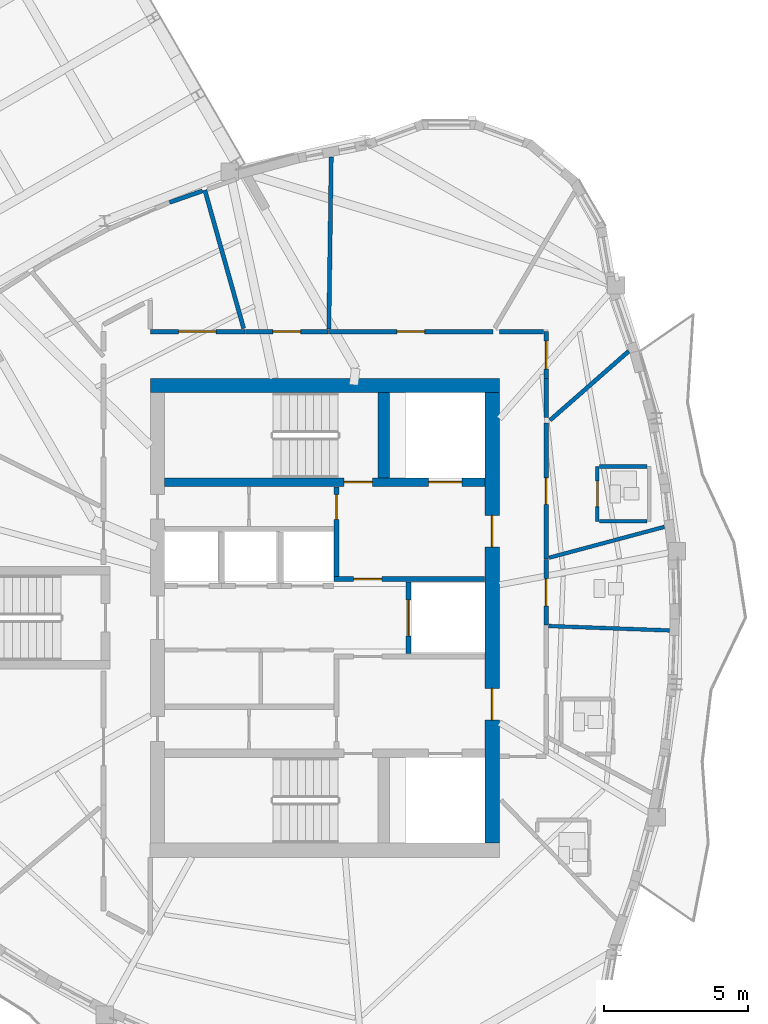
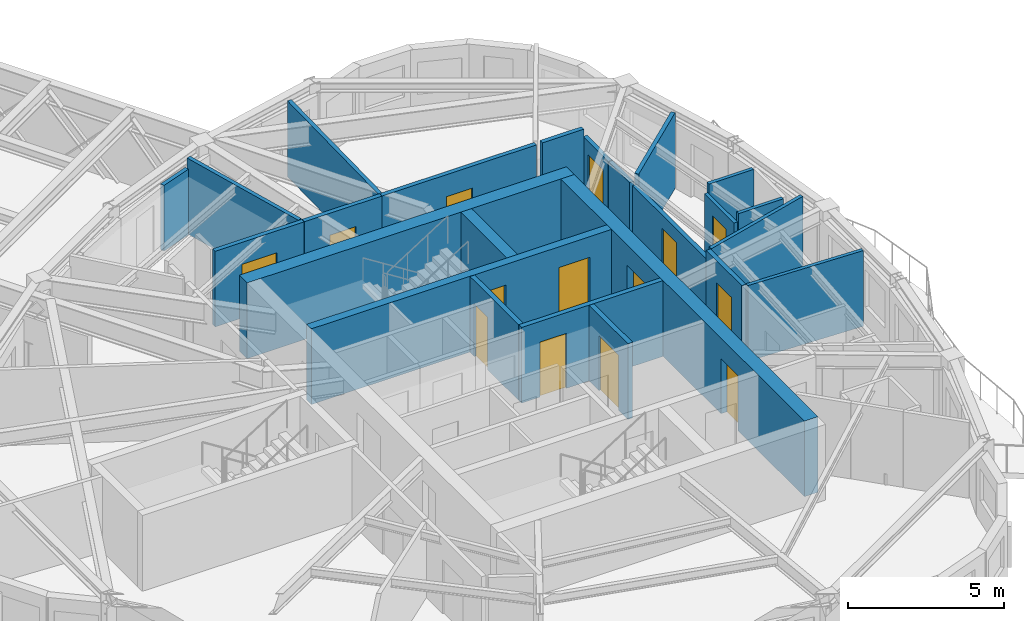
# One storey, part 8 of 14: 24 walls, 14 doors, 14 openings.
"""IFC4 building model written with IfcOpenShell, lengths in metres."""

from ifc_helpers import new_model, si_unit, direction, frame, frame_2d, origin, place, context, subcontext, project, spatial, rectangle, extrude, source, transform, mapped, material, layer, layer_set, type_object, element, fill, save


model = new_model("IFC4")

# Units and contexts
model_context = context("Model", 3, precision=1e-05, world=origin(), true_north=direction((0.0, 1.0)))
body_context = subcontext(model_context, "Body", "Model", "MODEL_VIEW")
ifc_project = project(units=[si_unit("LENGTHUNIT", "METRE"), si_unit("AREAUNIT", "SQUARE_METRE"), si_unit("VOLUMEUNIT", "CUBIC_METRE"), si_unit("PLANEANGLEUNIT", "RADIAN"), si_unit("MASSUNIT", "GRAM", prefix="KILO")], contexts=[model_context])

# Site, building, storey
site_placement = place(None, origin())
site = spatial("IfcSite", under=ifc_project, at=site_placement, CompositionType="ELEMENT")
building_placement = place(site_placement, origin())
building = spatial("IfcBuilding", under=site, at=building_placement, Name="Qafzar Sky-Pleat Residences", CompositionType="ELEMENT")
storey_placement = place(building_placement, frame((0.0, 0.0, 211.60009765625)))
storey = spatial("IfcBuildingStorey", under=building, at=storey_placement, Name="L63", CompositionType="ELEMENT", Elevation=211.60009765625)

# Wall, opening, door
ifc_material_1 = material(Name="Acoustic gypsum plasterboard partition", Category="gypsum")
ifc_layer_1 = layer(ifc_material_1, 0.159912109375)
ifc_layer_set_1 = layer_set([ifc_layer_1], Name="Acoustic gypsum plasterboard partition")
wall_type_1 = type_object("IfcWallType", Name="PART-COR-160", PredefinedType="PARTITIONING", material=ifc_layer_set_1)
wall_1_placement = place(storey_placement, frame((30.47412109375, 35.919921875, 0.0), z_axis=(0.0, 0.0, 1.0), x_axis=(1.0, 0.0, 0.0)))
wall_1 = element("IfcWall", 1, at=wall_1_placement, inside=storey, type_object=wall_type_1, Name="L63 Partition Wall PART-L63-PW-002", PredefinedType="PARTITIONING", context=body_context, shape_type="SweptSolid", body=[
    extrude(rectangle(XDim=5.712890625, YDim=0.159912109375, at=frame_2d((2.8564453125, 0.0))), origin(), (0.0, 0.0, 1.0), 2.9599609375),
])
opening_1_placement = place(wall_1_placement, frame((2.375, 0.0, 0.0)))
opening_1 = element("IfcOpeningElement", 2, at=opening_1_placement, cuts=wall_1, Name="Opening ID-06", PredefinedType="OPENING", context=body_context, shape_type="SweptSolid", body=[
    extrude(rectangle(XDim=0.9599609375, YDim=2.10009765625, at=frame_2d((0.47998046875, 1.050048828125))), frame((0.0, 0.08984375, 0.0), z_axis=(0.0, -1.0, 0.0), x_axis=(1.0, 0.0, 0.0)), (0.0, 0.0, 1.0), 0.179931640625),
])
ifc_material_2 = material(Name="Timber-faced fire door", Category="wood")
door_type_1 = type_object("IfcDoorType", Name="DR-STD-960", OperationType="NOTDEFINED", PredefinedType="DOOR", material=ifc_material_2)
shared_shape_1 = source(origin(), body_context, "Body", "SweptSolid", [
    extrude(rectangle(XDim=0.9599609375, YDim=2.10009765625, at=frame_2d((0.47998046875, 1.050048828125))), frame((0.0, 0.02490234375, 0.0), z_axis=(0.0, -1.0, 0.0), x_axis=(1.0, 0.0, 0.0)), (0.0, 0.0, 1.0), 0.050048828125),
])
door_1_placement = place(opening_1_placement, origin())
door_1 = element("IfcDoor", 3, at=door_1_placement, inside=storey, type_object=door_type_1, Name="L63 Wellness Yoga Studio Door", OperationType="SINGLE_SWING_LEFT", OverallHeight=2.10009765625, OverallWidth=0.9599609375, PredefinedType="DOOR", context=body_context, shape_type="MappedRepresentation", body=[
    mapped(shared_shape_1, transform((0.0, 0.0, 0.0), x_axis=(1.0, 0.0, 0.0), y_axis=(0.0, 1.0, 0.0), z_axis=(0.0, 0.0, 1.0), scale=1.0)),
])
fill(opening_1, door_1)

wall_2_placement = place(storey_placement, frame((38.02001953125, 32.748046875, 0.0), z_axis=(0.0, 0.0, 1.0), x_axis=(0.0, -1.0, 0.0)))
wall_2 = element("IfcWall", 4, at=wall_2_placement, inside=storey, type_object=wall_type_1, Name="L63 Partition Wall PART-L63-PW-003", PredefinedType="PARTITIONING", context=body_context, shape_type="SweptSolid", body=[
    extrude(rectangle(XDim=4.7099609375, YDim=0.159912109375, at=frame_2d((2.35498046875, 0.0))), origin(), (0.0, 0.0, 1.0), 2.6279296875),
])
opening_2_placement = place(wall_2_placement, frame((1.89697265625, 0.0, 0.0)))
opening_2 = element("IfcOpeningElement", 5, at=opening_2_placement, cuts=wall_2, Name="Opening ID-04", PredefinedType="OPENING", context=body_context, shape_type="SweptSolid", body=[
    extrude(rectangle(XDim=0.919921875, YDim=2.10009765625, at=frame_2d((0.4599609375, 1.050048828125))), frame((0.0, 0.08984375, 0.0), z_axis=(0.0, -1.0, 0.0), x_axis=(1.0, 0.0, 0.0)), (0.0, 0.0, 1.0), 0.179931640625),
])
door_type_2 = type_object("IfcDoorType", Name="DR-BED-920", OperationType="NOTDEFINED", PredefinedType="DOOR", material=ifc_material_2)
shared_shape_2 = source(origin(), body_context, "Body", "SweptSolid", [
    extrude(rectangle(XDim=0.919921875, YDim=2.10009765625, at=frame_2d((0.4599609375, 1.050048828125))), frame((0.0, 0.02490234375, 0.0), z_axis=(0.0, -1.0, 0.0), x_axis=(1.0, 0.0, 0.0)), (0.0, 0.0, 1.0), 0.050048828125),
])
door_2_placement = place(opening_2_placement, origin())
door_2 = element("IfcDoor", 6, at=door_2_placement, inside=storey, type_object=door_type_2, Name="L63 Co-Living Bedroom 3 Door", OperationType="SINGLE_SWING_RIGHT", OverallHeight=2.10009765625, OverallWidth=0.919921875, PredefinedType="DOOR", context=body_context, shape_type="MappedRepresentation", body=[
    mapped(shared_shape_2, transform((0.0, 0.0, 0.0), x_axis=(1.0, 0.0, 0.0), y_axis=(0.0, 1.0, 0.0), z_axis=(0.0, 0.0, 1.0), scale=1.0)),
])
fill(opening_2, door_2)

wall_3_placement = place(storey_placement, frame((24.300048828125, 35.919921875, 0.0), z_axis=(0.0, 0.0, 1.0), x_axis=(1.0, 0.0, 0.0)))
wall_3 = element("IfcWall", 7, at=wall_3_placement, inside=storey, type_object=wall_type_1, Name="L63 Partition Wall PART-L63-PW-008", PredefinedType="PARTITIONING", context=body_context, shape_type="SweptSolid", body=[
    extrude(rectangle(XDim=3.282958984375, YDim=0.159912109375, at=frame_2d((1.6416015625, 0.0))), origin(), (0.0, 0.0, 1.0), 2.9599609375),
])
opening_3_placement = place(wall_3_placement, frame((0.98388671875, 0.0, 0.0)))
opening_3 = element("IfcOpeningElement", 8, at=opening_3_placement, cuts=wall_3, Name="Opening ID-05", PredefinedType="OPENING", context=body_context, shape_type="SweptSolid", body=[
    extrude(rectangle(XDim=1.300048828125, YDim=2.10009765625, at=frame_2d((0.64990234375, 1.050048828125))), frame((0.0, 0.08984375, 0.0), z_axis=(0.0, -1.0, 0.0), x_axis=(1.0, 0.0, 0.0)), (0.0, 0.0, 1.0), 0.179931640625),
])
door_type_3 = type_object("IfcDoorType", Name="DR-LNG-1300", OperationType="DOUBLE_DOOR_SINGLE_SWING", PredefinedType="DOOR", material=ifc_material_2)
shared_shape_3 = source(origin(), body_context, "Body", "SweptSolid", [
    extrude(rectangle(XDim=1.300048828125, YDim=2.10009765625, at=frame_2d((0.64990234375, 1.050048828125))), frame((0.0, 0.02490234375, 0.0), z_axis=(0.0, -1.0, 0.0), x_axis=(1.0, 0.0, 0.0)), (0.0, 0.0, 1.0), 0.050048828125),
])
door_3_placement = place(opening_3_placement, origin())
door_3 = element("IfcDoor", 9, at=door_3_placement, inside=storey, type_object=door_type_3, Name="L63 Co-Living Lounge Door", OperationType="DOUBLE_DOOR_SINGLE_SWING", OverallHeight=2.10009765625, OverallWidth=1.300048828125, PredefinedType="DOOR", context=body_context, shape_type="MappedRepresentation", body=[
    mapped(shared_shape_3, transform((0.0, 0.0, 0.0), x_axis=(1.0, 0.0, 0.0), y_axis=(0.0, 1.0, 0.0), z_axis=(0.0, 0.0, 1.0), scale=1.0)),
])
fill(opening_3, door_3)

wall_4_placement = place(storey_placement, frame((27.597900390625, 35.919921875, 0.0), z_axis=(0.0, 0.0, 1.0), x_axis=(1.0, 0.0, 0.0)))
wall_4 = element("IfcWall", 10, at=wall_4_placement, inside=storey, type_object=wall_type_1, Name="L63 Partition Wall PART-L63-PW-009", PredefinedType="PARTITIONING", context=body_context, shape_type="SweptSolid", body=[
    extrude(rectangle(XDim=2.861083984375, YDim=0.159912109375, at=frame_2d((1.4306640625, 0.0))), origin(), (0.0, 0.0, 1.0), 2.9599609375),
])
opening_4_placement = place(wall_4_placement, frame((0.949951171875, 0.0, 0.0)))
opening_4 = element("IfcOpeningElement", 11, at=opening_4_placement, cuts=wall_4, Name="Opening ID-06", PredefinedType="OPENING", context=body_context, shape_type="SweptSolid", body=[
    extrude(rectangle(XDim=0.9599609375, YDim=2.10009765625, at=frame_2d((0.47998046875, 1.050048828125))), frame((0.0, 0.08984375, 0.0), z_axis=(0.0, -1.0, 0.0), x_axis=(1.0, 0.0, 0.0)), (0.0, 0.0, 1.0), 0.179931640625),
])
door_4_placement = place(opening_4_placement, origin())
door_4 = element("IfcDoor", 12, at=door_4_placement, inside=storey, type_object=door_type_1, Name="L63 Quiet Prayer Room Door", OperationType="SINGLE_SWING_LEFT", OverallHeight=2.10009765625, OverallWidth=0.9599609375, PredefinedType="DOOR", context=body_context, shape_type="MappedRepresentation", body=[
    mapped(shared_shape_1, transform((0.0, 0.0, 0.0), x_axis=(1.0, 0.0, 0.0), y_axis=(0.0, 1.0, 0.0), z_axis=(0.0, 0.0, 1.0), scale=1.0)),
])
fill(opening_4, door_4)

wall_5_placement = place(storey_placement, frame((38.02001953125, 28.02294921875, 0.0), z_axis=(0.0, 0.0, 1.0), x_axis=(0.0, -1.0, 0.0)))
wall_5 = element("IfcWall", 13, at=wall_5_placement, inside=storey, type_object=wall_type_1, Name="L63 Partition Wall PART-L63-PW-011", PredefinedType="PARTITIONING", context=body_context, shape_type="SweptSolid", body=[
    extrude(rectangle(XDim=2.27490234375, YDim=0.159912109375, at=frame_2d((1.137451171875, 0.0))), origin(), (0.0, 0.0, 1.0), 2.9599609375),
])
opening_5_placement = place(wall_5_placement, frame((0.662109375, 0.0, 0.0)))
opening_5 = element("IfcOpeningElement", 14, at=opening_5_placement, cuts=wall_5, Name="Opening ID-08", PredefinedType="OPENING", context=body_context, shape_type="SweptSolid", body=[
    extrude(rectangle(XDim=0.949951171875, YDim=2.10009765625, at=frame_2d((0.47509765625, 1.050048828125))), frame((0.0, 0.08984375, 0.0), z_axis=(0.0, -1.0, 0.0), x_axis=(1.0, 0.0, 0.0)), (0.0, 0.0, 1.0), 0.179931640625),
])
door_type_4 = type_object("IfcDoorType", Name="DR-AWC-950", OperationType="NOTDEFINED", PredefinedType="DOOR", material=ifc_material_2)
shared_shape_4 = source(origin(), body_context, "Body", "SweptSolid", [
    extrude(rectangle(XDim=0.949951171875, YDim=2.10009765625, at=frame_2d((0.47509765625, 1.050048828125))), frame((0.0, 0.02490234375, 0.0), z_axis=(0.0, -1.0, 0.0), x_axis=(1.0, 0.0, 0.0)), (0.0, 0.0, 1.0), 0.050048828125),
])
door_5_placement = place(opening_5_placement, origin())
door_5 = element("IfcDoor", 15, at=door_5_placement, inside=storey, type_object=door_type_4, Name="L63 Accessible Shared Washroom Door", OperationType="SINGLE_SWING_LEFT", OverallHeight=2.10009765625, OverallWidth=0.949951171875, PredefinedType="DOOR", context=body_context, shape_type="MappedRepresentation", body=[
    mapped(shared_shape_4, transform((0.0, 0.0, 0.0), x_axis=(1.0, 0.0, 0.0), y_axis=(0.0, 1.0, 0.0), z_axis=(0.0, 0.0, 1.0), scale=1.0)),
])
fill(opening_5, door_5)

wall_6_placement = place(storey_placement, frame((38.02001953125, 35.919921875, 0.0), z_axis=(0.0, 0.0, 1.0), x_axis=(0.0, -1.0, 0.0)))
wall_6 = element("IfcWall", 16, at=wall_6_placement, inside=storey, type_object=wall_type_1, Name="L63 Partition Wall PART-L63-PW-017", PredefinedType="PARTITIONING", context=body_context, shape_type="SweptSolid", body=[
    extrude(rectangle(XDim=1.619873046875, YDim=0.159912109375, at=frame_2d((0.81005859375, 0.0))), origin(), (0.0, 0.0, 1.0), 2.6279296875),
])
opening_6_placement = place(wall_6_placement, frame((0.330078125, 0.0, 0.0)))
opening_6 = element("IfcOpeningElement", 17, at=opening_6_placement, cuts=wall_6, Name="Opening ID-06", PredefinedType="OPENING", context=body_context, shape_type="SweptSolid", body=[
    extrude(rectangle(XDim=0.9599609375, YDim=2.10009765625, at=frame_2d((0.47998046875, 1.050048828125))), frame((0.0, 0.08984375, 0.0), z_axis=(0.0, -1.0, 0.0), x_axis=(1.0, 0.0, 0.0)), (0.0, 0.0, 1.0), 0.179931640625),
])
door_6_placement = place(opening_6_placement, origin())
door_6 = element("IfcDoor", 18, at=door_6_placement, inside=storey, type_object=door_type_1, Name="L63 Communal Kitchen Door", OperationType="SINGLE_SWING_LEFT", OverallHeight=2.10009765625, OverallWidth=0.9599609375, PredefinedType="DOOR", context=body_context, shape_type="MappedRepresentation", body=[
    mapped(shared_shape_1, transform((0.0, 0.0, 0.0), x_axis=(1.0, 0.0, 0.0), y_axis=(0.0, 1.0, 0.0), z_axis=(0.0, 0.0, 1.0), scale=1.0)),
])
fill(opening_6, door_6)

# Walls
wall_7_placement = place(storey_placement, frame((36.39990234375, 35.919921875, 0.0), z_axis=(0.0, 0.0, 1.0), x_axis=(1.0, 0.0, 0.0)))
element("IfcWall", 19, at=wall_7_placement, inside=storey, type_object=wall_type_1, Name="L63 Partition Wall PART-L63-PW-039", PredefinedType="PARTITIONING", context=body_context, shape_type="SweptSolid", body=[
    extrude(rectangle(XDim=1.531982421875, YDim=0.159912109375, at=frame_2d((0.76611328125, 0.0))), origin(), (0.0, 0.0, 1.0), 2.9599609375),
])
wall_8_placement = place(storey_placement, frame((38.02001953125, 32.9375, 0.0), z_axis=(0.0, 0.0, 1.0), x_axis=(0.0, 1.0, 0.0)))
element("IfcWall", 20, at=wall_8_placement, inside=storey, type_object=wall_type_1, Name="L63 Partition Wall PART-L63-PW-043", PredefinedType="PARTITIONING", context=body_context, shape_type="SweptSolid", body=[
    extrude(rectangle(XDim=1.347412109375, YDim=0.159912109375, at=frame_2d((0.673828125, 0.0))), origin(), (0.0, 0.0, 1.0), 2.6279296875),
])

# Wall, opening, door
ifc_material_3 = material(Name="Concrete blockwork partition", Category="masonry")
ifc_layer_2 = layer(ifc_material_3, 0.179931640625)
ifc_layer_set_2 = layer_set([ifc_layer_2], Name="Concrete blockwork partition")
wall_type_2 = type_object("IfcWallType", Name="PART-SHAFT-180", PredefinedType="PARTITIONING", material=ifc_layer_set_2)
wall_9_placement = place(storey_placement, frame((30.75, 27.429931640625, 0.0), z_axis=(0.0, 0.0, 1.0), x_axis=(0.0, 1.0, 0.0)))
wall_9 = element("IfcWall", 21, at=wall_9_placement, inside=storey, type_object=wall_type_2, Name="L63 Partition Wall PART-L63-FFL2-W", PredefinedType="PARTITIONING", context=body_context, shape_type="SweptSolid", body=[
    extrude(rectangle(XDim=3.110107421875, YDim=0.179931640625, at=frame_2d((1.55517578125, 0.0))), origin(), (0.0, 0.0, 1.0), 2.9599609375),
])
opening_7_placement = place(wall_9_placement, frame((1.97998046875, 0.0, 0.0)))
opening_7 = element("IfcOpeningElement", 22, at=opening_7_placement, cuts=wall_9, Name="Opening ID-09", PredefinedType="OPENING", context=body_context, shape_type="SweptSolid", body=[
    extrude(rectangle(XDim=0.860107421875, YDim=2.050048828125, at=frame_2d((0.43017578125, 1.02490234375))), frame((0.0, 0.10009765625, 0.0), z_axis=(0.0, -1.0, 0.0), x_axis=(1.0, 0.0, 0.0)), (0.0, 0.0, 1.0), 0.199951171875),
])
door_type_5 = type_object("IfcDoorType", Name="DR-SVC-860", OperationType="NOTDEFINED", PredefinedType="DOOR", material=ifc_material_2)
shared_shape_5 = source(origin(), body_context, "Body", "SweptSolid", [
    extrude(rectangle(XDim=0.860107421875, YDim=2.050048828125, at=frame_2d((0.43017578125, 1.02490234375))), frame((0.0, 0.02490234375, 0.0), z_axis=(0.0, -1.0, 0.0), x_axis=(1.0, 0.0, 0.0)), (0.0, 0.0, 1.0), 0.050048828125),
])
door_7_placement = place(opening_7_placement, origin())
door_7 = element("IfcDoor", 23, at=door_7_placement, inside=storey, type_object=door_type_5, Name="L63 North Core Cupboard Door", OperationType="SINGLE_SWING_LEFT", OverallHeight=2.050048828125, OverallWidth=0.860107421875, PredefinedType="DOOR", context=body_context, shape_type="MappedRepresentation", body=[
    mapped(shared_shape_5, transform((0.0, 0.0, 0.0), x_axis=(1.0, 0.0, 0.0), y_axis=(0.0, 1.0, 0.0), z_axis=(0.0, 0.0, 1.0), scale=1.0)),
])
fill(opening_7, door_7)

wall_10_placement = place(storey_placement, frame((30.669921875, 27.340087890625, 0.0), z_axis=(0.0, 0.0, 1.0), x_axis=(1.0, 0.0, 0.0)))
wall_10 = element("IfcWall", 24, at=wall_10_placement, inside=storey, type_object=wall_type_2, Name="L63 Partition Wall PART-L63-FFL2-S", PredefinedType="PARTITIONING", context=body_context, shape_type="SweptSolid", body=[
    extrude(rectangle(XDim=5.219970703125, YDim=0.179931640625, at=frame_2d((2.60986328125, 0.0))), origin(), (0.0, 0.0, 1.0), 2.9599609375),
])
opening_8_placement = place(wall_10_placement, frame((0.679931640625, 0.0, 0.0)))
opening_8 = element("IfcOpeningElement", 25, at=opening_8_placement, cuts=wall_10, Name="Opening ID-01", PredefinedType="OPENING", context=body_context, shape_type="SweptSolid", body=[
    extrude(rectangle(XDim=0.97998046875, YDim=2.14990234375, at=frame_2d((0.489990234375, 1.074951171875))), frame((0.0, 0.10009765625, 0.0), z_axis=(0.0, -1.0, 0.0), x_axis=(1.0, 0.0, 0.0)), (0.0, 0.0, 1.0), 0.199951171875),
])
door_type_6 = type_object("IfcDoorType", Name="DR-STAIR-980", OperationType="NOTDEFINED", PredefinedType="DOOR", material=ifc_material_2)
shared_shape_6 = source(origin(), body_context, "Body", "SweptSolid", [
    extrude(rectangle(XDim=0.97998046875, YDim=2.14990234375, at=frame_2d((0.489990234375, 1.074951171875))), frame((0.0, 0.02490234375, 0.0), z_axis=(0.0, -1.0, 0.0), x_axis=(1.0, 0.0, 0.0)), (0.0, 0.0, 1.0), 0.050048828125),
])
door_8_placement = place(opening_8_placement, origin())
door_8 = element("IfcDoor", 26, at=door_8_placement, inside=storey, type_object=door_type_6, Name="L63 Lift Lobby to North Firefighting Lobby Door", OperationType="SINGLE_SWING_RIGHT", OverallHeight=2.14990234375, OverallWidth=0.97998046875, PredefinedType="DOOR", context=body_context, shape_type="MappedRepresentation", body=[
    mapped(shared_shape_6, transform((0.0, 0.0, 0.0), x_axis=(1.0, 0.0, 0.0), y_axis=(0.0, 1.0, 0.0), z_axis=(0.0, 0.0, 1.0), scale=1.0)),
])
fill(opening_8, door_8)

wall_11_placement = place(storey_placement, frame((33.25, 24.760009765625, 0.0), z_axis=(0.0, 0.0, 1.0), x_axis=(0.0, 1.0, 0.0)))
wall_11 = element("IfcWall", 27, at=wall_11_placement, inside=storey, type_object=wall_type_2, Name="L63 Partition Wall PART-L63-SV1-W", PredefinedType="PARTITIONING", context=body_context, shape_type="SweptSolid", body=[
    extrude(rectangle(XDim=2.47998046875, YDim=0.179931640625, at=frame_2d((1.239990234375, 0.0))), origin(), (0.0, 0.0, 1.0), 2.9599609375),
])
opening_9_placement = place(wall_11_placement, frame((0.614990234375, 0.0, 0.0)))
opening_9 = element("IfcOpeningElement", 28, at=opening_9_placement, cuts=wall_11, Name="Opening LD-03", PredefinedType="OPENING", context=body_context, shape_type="SweptSolid", body=[
    extrude(rectangle(XDim=1.25, YDim=2.14990234375, at=frame_2d((0.625, 1.074951171875))), frame((0.0, 0.10009765625, 0.0), z_axis=(0.0, -1.0, 0.0), x_axis=(1.0, 0.0, 0.0)), (0.0, 0.0, 1.0), 0.199951171875),
])
ifc_material_4 = material(Name="Stainless steel sliding landing door", Category="steel")
door_type_7 = type_object("IfcDoorType", Name="DR-LIFT-SV", OperationType="DOUBLE_DOOR_SLIDING", PredefinedType="DOOR", material=ifc_material_4)
shared_shape_7 = source(origin(), body_context, "Body", "SweptSolid", [
    extrude(rectangle(XDim=1.25, YDim=2.14990234375, at=frame_2d((0.625, 1.074951171875))), frame((0.0, 0.02490234375, 0.0), z_axis=(0.0, -1.0, 0.0), x_axis=(1.0, 0.0, 0.0)), (0.0, 0.0, 1.0), 0.050048828125),
])
door_9_placement = place(opening_9_placement, origin())
door_9 = element("IfcDoor", 29, at=door_9_placement, inside=storey, type_object=door_type_7, Name="L63 Service Lift SV1 Landing Door", OperationType="DOUBLE_DOOR_SLIDING", OverallHeight=2.14990234375, OverallWidth=1.25, PredefinedType="DOOR", context=body_context, shape_type="MappedRepresentation", body=[
    mapped(shared_shape_7, transform((0.0, 0.0, 0.0), x_axis=(1.0, 0.0, 0.0), y_axis=(0.0, 1.0, 0.0), z_axis=(0.0, 0.0, 1.0), scale=1.0)),
])
fill(opening_9, door_9)

# Walls
ifc_layer_3 = layer(ifc_material_1, 0.14501953125)
ifc_layer_set_3 = layer_set([ifc_layer_3], Name="Acoustic gypsum plasterboard partition")
wall_type_3 = type_object("IfcWallType", Name="PART-UNIT-145", PredefinedType="PARTITIONING", material=ifc_layer_set_3)
wall_12_placement = place(storey_placement, frame((30.4892578125, 36.009033203125, 0.0), z_axis=(0.0, 0.0, 1.0), x_axis=(0.013978627514, 0.999902294213, 0.0)))
element("IfcWall", 30, at=wall_12_placement, inside=storey, type_object=wall_type_3, Name="L63 Partition Wall PART-L63-PW-020", PredefinedType="PARTITIONING", context=body_context, shape_type="SweptSolid", body=[
    extrude(rectangle(XDim=5.95556640625, YDim=0.14501953125, at=frame_2d((2.977783203125, 0.0))), origin(), (0.0, 0.0, 1.0), 2.9599609375),
])
wall_13_placement = place(storey_placement, frame((26.19189453125, 40.822998046875, 0.0), z_axis=(0.0, 0.0, 1.0), x_axis=(0.270218926069, -0.962798905273, 0.0)))
element("IfcWall", 31, at=wall_13_placement, inside=storey, type_object=wall_type_3, Name="L63 Partition Wall PART-L63-PW-023", PredefinedType="PARTITIONING", context=body_context, shape_type="SweptSolid", body=[
    extrude(rectangle(XDim=4.98095703125, YDim=0.14501953125, at=frame_2d((2.490478515625, 0.0))), origin(), (0.0, 0.0, 1.0), 2.9599609375),
])
wall_14_placement = place(storey_placement, frame((38.15380859375, 32.845458984375, 0.0), z_axis=(0.0, 0.0, 1.0), x_axis=(0.751793032372, 0.659399148071, 0.0)))
element("IfcWall", 32, at=wall_14_placement, inside=storey, type_object=wall_type_3, Name="L63 Partition Wall PART-L63-PW-027", PredefinedType="PARTITIONING", context=body_context, shape_type="SweptSolid", body=[
    extrude(rectangle(XDim=3.630615234375, YDim=0.14501953125, at=frame_2d((1.8154296875, 0.0))), origin(), (0.0, 0.0, 1.0), 2.9599609375),
])
wall_15_placement = place(storey_placement, frame((24.97314453125, 40.39697265625, 0.0), z_axis=(0.0, 0.0, 1.0), x_axis=(0.943987684609, 0.329980683232, 0.0)))
element("IfcWall", 33, at=wall_15_placement, inside=storey, type_object=wall_type_3, Name="L63 Partition Wall PART-L63-PW-045", PredefinedType="PARTITIONING", context=body_context, shape_type="SweptSolid", body=[
    extrude(rectangle(XDim=1.2060546875, YDim=0.14501953125, at=frame_2d((0.60302734375, 0.0))), origin(), (0.0, 0.0, 1.0), 2.56787109375),
])

# Wall, opening, door
ifc_material_5 = material(Name="Moisture-resistant gypsum partition", Category="gypsum")
ifc_layer_4 = layer(ifc_material_5, 0.1298828125)
ifc_layer_set_4 = layer_set([ifc_layer_4], Name="Moisture-resistant gypsum partition")
wall_type_4 = type_object("IfcWallType", Name="PART-WET-130", PredefinedType="PARTITIONING", material=ifc_layer_set_4)
wall_16_placement = place(storey_placement, frame((39.794921875, 31.243896484375, 0.0), z_axis=(0.0, 0.0, 1.0), x_axis=(0.0, -1.0, 0.0)))
wall_16 = element("IfcWall", 34, at=wall_16_placement, inside=storey, type_object=wall_type_4, Name="L63 Partition Wall PART-L63-PW-015", PredefinedType="PARTITIONING", context=body_context, shape_type="SweptSolid", body=[
    extrude(rectangle(XDim=1.89990234375, YDim=0.1298828125, at=frame_2d((0.949951171875, 0.0))), origin(), (0.0, 0.0, 1.0), 2.597900390625),
])
opening_10_placement = place(wall_16_placement, frame((0.510009765625, 0.0, 0.0)))
opening_10 = element("IfcOpeningElement", 35, at=opening_10_placement, cuts=wall_16, Name="Opening ID-07", PredefinedType="OPENING", context=body_context, shape_type="SweptSolid", body=[
    extrude(rectangle(XDim=0.8798828125, YDim=2.050048828125, at=frame_2d((0.43994140625, 1.02490234375))), frame((0.0, 0.074951171875, 0.0), z_axis=(0.0, -1.0, 0.0), x_axis=(1.0, 0.0, 0.0)), (0.0, 0.0, 1.0), 0.14990234375),
])
door_type_8 = type_object("IfcDoorType", Name="DR-WET-880", OperationType="NOTDEFINED", PredefinedType="DOOR", material=ifc_material_2)
shared_shape_8 = source(origin(), body_context, "Body", "SweptSolid", [
    extrude(rectangle(XDim=0.8798828125, YDim=2.050048828125, at=frame_2d((0.43994140625, 1.02490234375))), frame((0.0, 0.02490234375, 0.0), z_axis=(0.0, -1.0, 0.0), x_axis=(1.0, 0.0, 0.0)), (0.0, 0.0, 1.0), 0.050048828125),
])
door_10_placement = place(opening_10_placement, origin())
door_10 = element("IfcDoor", 36, at=door_10_placement, inside=storey, type_object=door_type_8, Name="L63 En-suite Bathroom 3 Door", OperationType="SINGLE_SWING_LEFT", OverallHeight=2.050048828125, OverallWidth=0.8798828125, PredefinedType="DOOR", context=body_context, shape_type="MappedRepresentation", body=[
    mapped(shared_shape_8, transform((0.0, 0.0, 0.0), x_axis=(1.0, 0.0, 0.0), y_axis=(0.0, 1.0, 0.0), z_axis=(0.0, 0.0, 1.0), scale=1.0)),
])
fill(opening_10, door_10)

# Walls
wall_17_placement = place(storey_placement, frame((38.1103515625, 25.714599609375, 0.0), z_axis=(0.0, 0.0, 1.0), x_axis=(0.99933433165, -0.036481414253, 0.0)))
element("IfcWall", 37, at=wall_17_placement, inside=storey, type_object=wall_type_4, Name="L63 Partition Wall PART-L63-PW-024", PredefinedType="PARTITIONING", context=body_context, shape_type="SweptSolid", body=[
    extrude(rectangle(XDim=4.189208984375, YDim=0.1298828125, at=frame_2d((2.0947265625, 0.0))), origin(), (0.0, 0.0, 1.0), 2.9599609375),
])
wall_18_placement = place(storey_placement, frame((38.12451171875, 28.08203125, 0.0), z_axis=(0.0, 0.0, 1.0), x_axis=(0.965997321458, 0.258552073934, 0.0)))
element("IfcWall", 38, at=wall_18_placement, inside=storey, type_object=wall_type_4, Name="L63 Partition Wall PART-L63-PW-025", PredefinedType="PARTITIONING", context=body_context, shape_type="SweptSolid", body=[
    extrude(rectangle(XDim=4.134033203125, YDim=0.1298828125, at=frame_2d((2.06689453125, 0.0))), origin(), (0.0, 0.0, 1.0), 2.9599609375),
])
for number, where, z_axis, x_axis, name in (
    (39, (39.867919921875, 31.243896484375, 0.0), (0.0, 0.0, 1.0), (1.0, 0.0, 0.0), "L63 Partition Wall PART-L63-PW-036"),
    (40, (39.867919921875, 29.343994140625, 0.0), (0.0, 0.0, 1.0), (1.0, 0.0, 0.0), "L63 Partition Wall PART-L63-PW-037"),
):
    element("IfcWall", number, at=place(storey_placement, frame(where, z_axis=z_axis, x_axis=x_axis)), inside=storey, type_object=wall_type_4, Name=name, PredefinedType="PARTITIONING", context=body_context, shape_type="SweptSolid", body=[
        extrude(rectangle(XDim=1.654052734375, YDim=0.1298828125, at=frame_2d((0.8271484375, 0.0))), origin(), (0.0, 0.0, 1.0), 2.9599609375),
    ])

# Wall, openings, doors
ifc_material_6 = material(Name="Concrete C60/75", Category="concrete")
ifc_layer_5 = layer(ifc_material_6, 0.300048828125)
ifc_layer_set_5 = layer_set([ifc_layer_5], Name="Concrete C60/75")
wall_type_5 = type_object("IfcWallType", Name="WALL-SHEAR-300", PredefinedType="SHEAR", material=ifc_layer_set_5)
wall_19_placement = place(storey_placement, frame((24.800048828125, 30.699951171875, 0.0), z_axis=(0.0, 0.0, 1.0), x_axis=(1.0, 0.0, 0.0)))
wall_19 = element("IfcWall", 41, at=wall_19_placement, inside=storey, type_object=wall_type_5, Name="L63 Stair ST2 and FF2 Shaft South Wall", PredefinedType="SHEAR", context=body_context, shape_type="SweptSolid", body=[
    extrude(rectangle(XDim=11.099853515625, YDim=0.300048828125, at=frame_2d((5.5498046875, 0.0))), origin(), (0.0, 0.0, 1.0), 2.9599609375),
])
opening_11_placement = place(wall_19_placement, frame((6.219970703125, 0.0, 0.0)))
opening_11 = element("IfcOpeningElement", 42, at=opening_11_placement, cuts=wall_19, Name="Opening ID-01", PredefinedType="OPENING", context=body_context, shape_type="SweptSolid", body=[
    extrude(rectangle(XDim=0.97998046875, YDim=2.14990234375, at=frame_2d((0.489990234375, 1.074951171875))), frame((0.0, 0.16015625, 0.0), z_axis=(0.0, -1.0, 0.0), x_axis=(1.0, 0.0, 0.0)), (0.0, 0.0, 1.0), 0.320068359375),
])
opening_12_placement = place(wall_19_placement, frame((9.14990234375, 0.0, 0.0)))
opening_12 = element("IfcOpeningElement", 43, at=opening_12_placement, cuts=wall_19, Name="Opening LD-02", PredefinedType="OPENING", context=body_context, shape_type="SweptSolid", body=[
    extrude(rectangle(XDim=1.14990234375, YDim=2.14990234375, at=frame_2d((0.574951171875, 1.074951171875))), frame((0.0, 0.16015625, 0.0), z_axis=(0.0, -1.0, 0.0), x_axis=(1.0, 0.0, 0.0)), (0.0, 0.0, 1.0), 0.320068359375),
])
door_11_placement = place(opening_11_placement, origin())
door_11 = element("IfcDoor", 44, at=door_11_placement, inside=storey, type_object=door_type_6, Name="L63 Stair ST2 Fire Door", OperationType="SINGLE_SWING_LEFT", OverallHeight=2.14990234375, OverallWidth=0.97998046875, PredefinedType="DOOR", context=body_context, shape_type="MappedRepresentation", body=[
    mapped(shared_shape_6, transform((0.0, 0.0, 0.0), x_axis=(1.0, 0.0, 0.0), y_axis=(0.0, 1.0, 0.0), z_axis=(0.0, 0.0, 1.0), scale=1.0)),
])
fill(opening_11, door_11)
door_type_9 = type_object("IfcDoorType", Name="DR-LIFT-FF", OperationType="DOUBLE_DOOR_SLIDING", PredefinedType="DOOR", material=ifc_material_4)
shared_shape_9 = source(origin(), body_context, "Body", "SweptSolid", [
    extrude(rectangle(XDim=1.14990234375, YDim=2.14990234375, at=frame_2d((0.574951171875, 1.074951171875))), frame((0.0, 0.02490234375, 0.0), z_axis=(0.0, -1.0, 0.0), x_axis=(1.0, 0.0, 0.0)), (0.0, 0.0, 1.0), 0.050048828125),
])
door_12_placement = place(opening_12_placement, origin())
door_12 = element("IfcDoor", 45, at=door_12_placement, inside=storey, type_object=door_type_9, Name="L63 Firefighting Lift FF2 Landing Door", OperationType="DOUBLE_DOOR_SLIDING", OverallHeight=2.14990234375, OverallWidth=1.14990234375, PredefinedType="DOOR", context=body_context, shape_type="MappedRepresentation", body=[
    mapped(shared_shape_9, transform((0.0, 0.0, 0.0), x_axis=(1.0, 0.0, 0.0), y_axis=(0.0, 1.0, 0.0), z_axis=(0.0, 0.0, 1.0), scale=1.0)),
])
fill(opening_12, door_12)

# Walls
ifc_layer_6 = layer(ifc_material_6, 0.39990234375)
ifc_layer_set_6 = layer_set([ifc_layer_6], Name="Concrete C60/75")
wall_type_6 = type_object("IfcWallType", Name="WALL-SHEAR-400", PredefinedType="SHEAR", material=ifc_layer_set_6)
wall_20_placement = place(storey_placement, frame((32.39990234375, 30.85009765625, 0.0), z_axis=(0.0, 0.0, 1.0), x_axis=(0.0, 1.0, 0.0)))
element("IfcWall", 46, at=wall_20_placement, inside=storey, type_object=wall_type_6, Name="L63 Stair ST2 East Dividing Wall", PredefinedType="SHEAR", context=body_context, shape_type="SweptSolid", body=[
    extrude(rectangle(XDim=2.949951171875, YDim=0.39990234375, at=frame_2d((1.47509765625, 0.0))), origin(), (0.0, 0.0, 1.0), 2.9599609375),
])
ifc_layer_7 = layer(ifc_material_6, 0.5)
ifc_layer_set_7 = layer_set([ifc_layer_7], Name="Concrete C60/75")
wall_type_7 = type_object("IfcWallType", Name="WALL-SHEAR-500", PredefinedType="SHEAR", material=ifc_layer_set_7)
wall_21_placement = place(storey_placement, frame((36.39990234375, 34.050048828125, 0.0), z_axis=(0.0, 0.0, 1.0), x_axis=(-1.0, 0.0, 0.0)))
element("IfcWall", 47, at=wall_21_placement, inside=storey, type_object=wall_type_7, Name="L63 CORE wall N", PredefinedType="SHEAR", context=body_context, shape_type="SweptSolid", body=[
    extrude(rectangle(XDim=12.099853515625, YDim=0.5, at=frame_2d((6.0498046875, 0.0))), origin(), (0.0, 0.0, 1.0), 2.9599609375),
])

# Wall, openings, doors
wall_22_placement = place(storey_placement, frame((36.14990234375, 18.199951171875, 0.0), z_axis=(0.0, 0.0, 1.0), x_axis=(0.0, 1.0, 0.0)))
wall_22 = element("IfcWall", 48, at=wall_22_placement, inside=storey, type_object=wall_type_7, Name="L63 CORE wall E", PredefinedType="SHEAR", context=body_context, shape_type="SweptSolid", body=[
    extrude(rectangle(XDim=15.60009765625, YDim=0.5, at=frame_2d((7.800048828125, 0.0))), origin(), (0.0, 0.0, 1.0), 2.9599609375),
])
opening_13_placement = place(wall_22_placement, frame((4.25, 0.0, 0.0)))
opening_13 = element("IfcOpeningElement", 49, at=opening_13_placement, cuts=wall_22, Name="Opening ID-02", PredefinedType="OPENING", context=body_context, shape_type="SweptSolid", body=[
    extrude(rectangle(XDim=1.10009765625, YDim=2.14990234375, at=frame_2d((0.550048828125, 1.074951171875))), frame((0.0, 0.260009765625, 0.0), z_axis=(0.0, -1.0, 0.0), x_axis=(1.0, 0.0, 0.0)), (0.0, 0.0, 1.0), 0.52001953125),
])
opening_14_placement = place(wall_22_placement, frame((10.25, 0.0, 0.0)))
opening_14 = element("IfcOpeningElement", 50, at=opening_14_placement, cuts=wall_22, Name="Opening ID-02", PredefinedType="OPENING", context=body_context, shape_type="SweptSolid", body=[
    extrude(rectangle(XDim=1.10009765625, YDim=2.14990234375, at=frame_2d((0.550048828125, 1.074951171875))), frame((0.0, 0.260009765625, 0.0), z_axis=(0.0, -1.0, 0.0), x_axis=(1.0, 0.0, 0.0)), (0.0, 0.0, 1.0), 0.52001953125),
])
door_type_10 = type_object("IfcDoorType", Name="DR-FFL-1100", OperationType="NOTDEFINED", PredefinedType="DOOR", material=ifc_material_2)
shared_shape_10 = source(origin(), body_context, "Body", "SweptSolid", [
    extrude(rectangle(XDim=1.10009765625, YDim=2.14990234375, at=frame_2d((0.550048828125, 1.074951171875))), frame((0.0, 0.02490234375, 0.0), z_axis=(0.0, -1.0, 0.0), x_axis=(1.0, 0.0, 0.0)), (0.0, 0.0, 1.0), 0.050048828125),
])
door_13_placement = place(opening_13_placement, origin())
door_13 = element("IfcDoor", 51, at=door_13_placement, inside=storey, type_object=door_type_10, Name="L63 Firefighting Lobby South Corridor Door", OperationType="SINGLE_SWING_LEFT", OverallHeight=2.14990234375, OverallWidth=1.10009765625, PredefinedType="DOOR", context=body_context, shape_type="MappedRepresentation", body=[
    mapped(shared_shape_10, transform((0.0, 0.0, 0.0), x_axis=(1.0, 0.0, 0.0), y_axis=(0.0, 1.0, 0.0), z_axis=(0.0, 0.0, 1.0), scale=1.0)),
])
fill(opening_13, door_13)
door_14_placement = place(opening_14_placement, origin())
door_14 = element("IfcDoor", 52, at=door_14_placement, inside=storey, type_object=door_type_10, Name="L63 Firefighting Lobby North Corridor Door", OperationType="SINGLE_SWING_RIGHT", OverallHeight=2.14990234375, OverallWidth=1.10009765625, PredefinedType="DOOR", context=body_context, shape_type="MappedRepresentation", body=[
    mapped(shared_shape_10, transform((0.0, 0.0, 0.0), x_axis=(1.0, 0.0, 0.0), y_axis=(0.0, 1.0, 0.0), z_axis=(0.0, 0.0, 1.0), scale=1.0)),
])
fill(opening_14, door_14)

save(model, "model.ifc")
